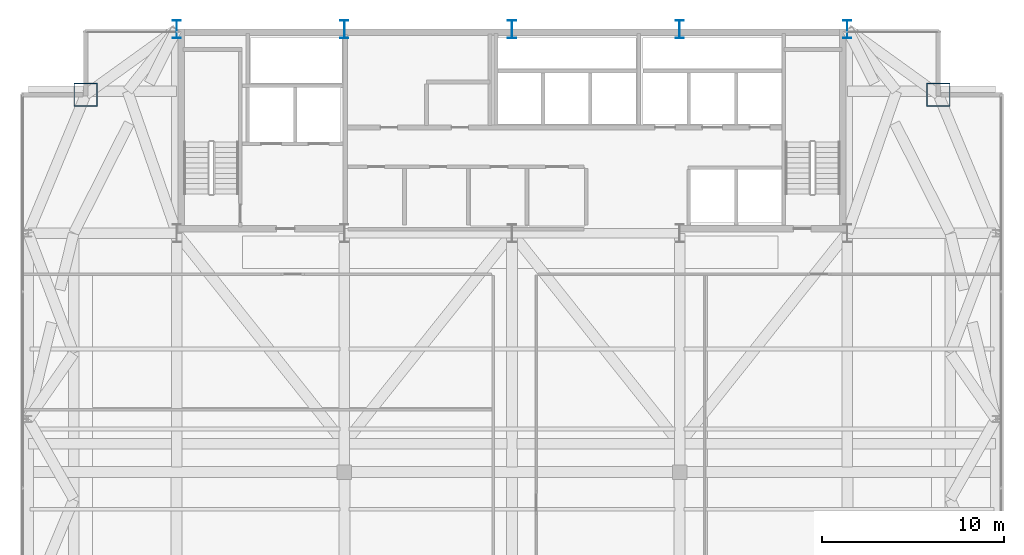
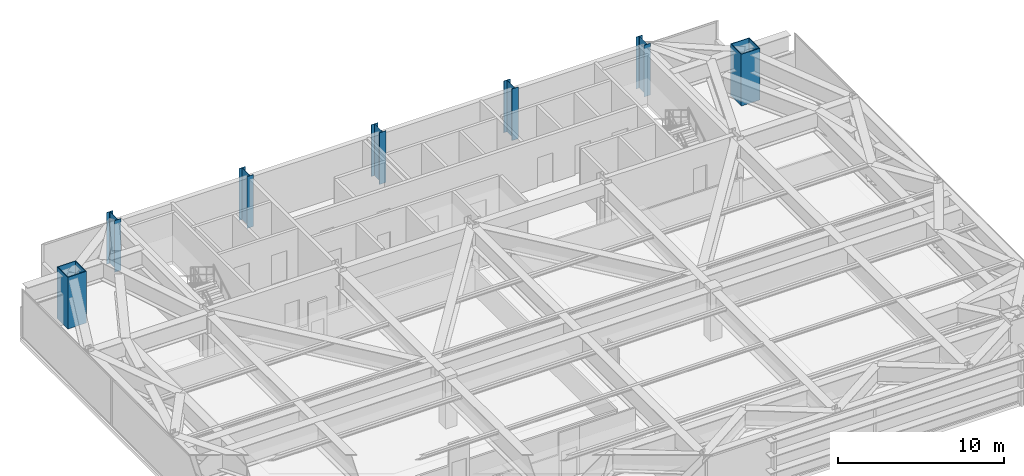
# One storey, part 3 of 26: 7 columns.
"""IFC4 building model written with IfcOpenShell, lengths in metres."""

import ifcopenshell
import ifcopenshell.guid

model = None  # the IFC model being written
_history = None  # IfcOwnerHistory: only IFC2X3 demands one
_inside = {}  # id of a spatial element -> (the spatial element, [elements in it])
_under = {}  # id of a project, library or spatial element -> (it, [spatial elements below it])
_declared = {}  # id of a project -> (the project, [libraries it declares])
_typed = {}  # id of a type object -> (the type object, [elements of that type])
_made_of = {}  # id of a material, layer set ... -> (it, [elements and type objects made of it])


def new_model(schema):
    """Start an empty IFC model of exactly this schema.

    Asked for "IFC4X3", IfcOpenShell would pick the latest addendum, in which some entities
    have other attributes; the version numbers below select the first issue.
    IFC2X3 requires an IfcOwnerHistory on every rooted entity: one is made here for all.
    """
    global model, _history
    if schema == "IFC4X3":
        model = ifcopenshell.file(schema_version=(4, 3, 0, 0))
    else:
        model = ifcopenshell.file(schema=schema)
    _inside.clear()
    _under.clear()
    _declared.clear()
    _typed.clear()
    _made_of.clear()
    _history = None
    if model.schema == "IFC2X3":
        org = make("IfcOrganization", Name="unknown")
        user = make(
            "IfcPersonAndOrganization",
            ThePerson=make("IfcPerson", FamilyName="unknown"),
            TheOrganization=org,
        )
        app = make(
            "IfcApplication",
            ApplicationDeveloper=org,
            Version="unknown",
            ApplicationFullName="unknown",
            ApplicationIdentifier="unknown",
        )
        _history = make(
            "IfcOwnerHistory",
            OwningUser=user,
            OwningApplication=app,
            ChangeAction="ADDED",
            CreationDate=0,
        )
    return model


def make(cls, **values):
    """One entity of the class cls with the attributes given. An attribute that is None is left unset."""
    return model.create_entity(
        cls, **{name: value for name, value in values.items() if value is not None}
    )


def rooted(cls, **values):
    """An entity with a GlobalId (a new one), such as an element, a storey or a relation."""
    return make(cls, GlobalId=ifcopenshell.guid.new(), OwnerHistory=_history, **values)


def si_unit(unit_type, name, prefix=None):
    """IfcSIUnit, for example si_unit("LENGTHUNIT", "METRE", prefix="MILLI")."""
    return make("IfcSIUnit", UnitType=unit_type, Prefix=prefix, Name=name)


def assignment(units):
    """IfcUnitAssignment: the units of a project."""
    return None if units is None else make("IfcUnitAssignment", Units=units)


def point(xyz):
    """IfcCartesianPoint."""
    return None if xyz is None else make("IfcCartesianPoint", Coordinates=xyz)


def direction(xyz):
    """IfcDirection."""
    return None if xyz is None else make("IfcDirection", DirectionRatios=xyz)


def frame(location, z_axis=None, x_axis=None):
    """IfcAxis2Placement3D, a coordinate frame: its origin and axes. An axis left out is left unset."""
    return make(
        "IfcAxis2Placement3D",
        Location=point(location),
        Axis=direction(z_axis),
        RefDirection=direction(x_axis),
    )


def frame_2d(location, x_axis=None):
    """IfcAxis2Placement2D, a coordinate frame in the plane: its origin and x axis."""
    return make(
        "IfcAxis2Placement2D", Location=point(location), RefDirection=direction(x_axis)
    )


def origin():
    """The frame at (0, 0, 0) with its axes left unset."""
    return frame((0.0, 0.0, 0.0))


def origin_2d():
    """The frame at (0, 0) in the plane with its x axis left unset."""
    return frame_2d((0.0, 0.0))


def place(relative_to, where):
    """IfcLocalPlacement: puts the frame where relative to a parent placement (None: the world)."""
    return make(
        "IfcLocalPlacement", PlacementRelTo=relative_to, RelativePlacement=where
    )


def context(
    kind, dimensions, precision=None, world=None, true_north=None, identifier=None
):
    """IfcGeometricRepresentationContext, for example the 3D "Model" context."""
    return make(
        "IfcGeometricRepresentationContext",
        ContextIdentifier=identifier,
        ContextType=kind,
        CoordinateSpaceDimension=dimensions,
        Precision=precision,
        WorldCoordinateSystem=world,
        TrueNorth=true_north,
    )


def subcontext(parent, identifier, kind, view, scale=None):
    """IfcGeometricRepresentationSubContext, for example "Body" below "Model"."""
    return make(
        "IfcGeometricRepresentationSubContext",
        ContextIdentifier=identifier,
        ContextType=kind,
        ParentContext=parent,
        TargetScale=scale,
        TargetView=view,
    )


def project(units=None, contexts=None):
    """IfcProject with its units and contexts."""
    return rooted(
        "IfcProject",
        Name="project",
        RepresentationContexts=contexts,
        UnitsInContext=assignment(units),
    )


def spatial(cls, under=None, at=None, **own):
    """A site, building, storey or space (cls), placed at a placement, below another one or the project."""
    s = rooted(cls, ObjectPlacement=at, **own)
    if under is not None:
        _under.setdefault(under.id(), (under, []))[1].append(s)
    return s


def profile(cls, at=None, kind="AREA", **sizes):
    """A parametric profile (cls). Its sizes go by their IFC names, for example OverallWidth=200.0."""
    return make(cls, ProfileType=kind, Position=at, **sizes)


def hollow_rectangle(**sizes):
    """IfcRectangleHollowProfileDef."""
    return profile("IfcRectangleHollowProfileDef", **sizes)


def i_section(**sizes):
    """IfcIShapeProfileDef."""
    return profile("IfcIShapeProfileDef", **sizes)


def extrude(swept, where, along, depth):
    """IfcExtrudedAreaSolid: the profile swept, set in the frame where, extruded along a direction by depth."""
    return make(
        "IfcExtrudedAreaSolid",
        SweptArea=swept,
        Position=where,
        ExtrudedDirection=direction(along),
        Depth=depth,
    )


def shape(context_of_items, identifier, shape_type, items):
    """IfcShapeRepresentation: the items that make up one representation, for example the "Body"."""
    return make(
        "IfcShapeRepresentation",
        ContextOfItems=context_of_items,
        RepresentationIdentifier=identifier,
        RepresentationType=shape_type,
        Items=items,
    )


def source(mapping_origin, context_of_items, identifier, shape_type, items):
    """IfcRepresentationMap: a shape defined once, which mapped items show again and again."""
    return make(
        "IfcRepresentationMap",
        MappingOrigin=mapping_origin,
        MappedRepresentation=shape(context_of_items, identifier, shape_type, items),
    )


def transform(
    local_origin,
    x_axis=None,
    y_axis=None,
    z_axis=None,
    scale=None,
    scale2=None,
    scale3=None,
    uniform=True,
):
    """IfcCartesianTransformationOperator3D, or its non-uniform kind. x_axis, y_axis, z_axis: its Axis1, 2, 3."""
    if uniform:
        return make(
            "IfcCartesianTransformationOperator3D",
            Axis1=direction(x_axis),
            Axis2=direction(y_axis),
            LocalOrigin=point(local_origin),
            Scale=scale,
            Axis3=direction(z_axis),
        )
    return make(
        "IfcCartesianTransformationOperator3DnonUniform",
        Axis1=direction(x_axis),
        Axis2=direction(y_axis),
        LocalOrigin=point(local_origin),
        Scale=scale,
        Axis3=direction(z_axis),
        Scale2=scale2,
        Scale3=scale3,
    )


def mapped(mapping_source, mapping_target):
    """IfcMappedItem: shows the shape of a source again, moved by a transform."""
    return make(
        "IfcMappedItem", MappingSource=mapping_source, MappingTarget=mapping_target
    )


def material(Name=None, Category=None):
    """IfcMaterial."""
    return make("IfcMaterial", Name=Name, Category=Category)


def material_profile(
    of_material, cross_section, Name=None, Category=None, Priority=None
):
    """IfcMaterialProfile: a cross section and its material."""
    return make(
        "IfcMaterialProfile",
        Name=Name,
        Material=of_material,
        Profile=cross_section,
        Priority=Priority,
        Category=Category,
    )


def profile_set(profiles, Name=None, composite=None):
    """IfcMaterialProfileSet."""
    return make(
        "IfcMaterialProfileSet",
        Name=Name,
        MaterialProfiles=profiles,
        CompositeProfile=composite,
    )


def made_of(thing, what):
    """Note that an element or type object is made of a material, layer set ...; save() writes the relation."""
    if what is not None:
        _made_of.setdefault(what.id(), (what, []))[1].append(thing)
    return thing


def type_object(cls, material=None, **own):
    """A type object (cls), such as IfcWallType, which elements share."""
    return made_of(rooted(cls, **own), material)


def type_shapes(of_type, sources):
    """Give a type object the sources (RepresentationMaps) that its elements show as mapped items."""
    of_type.RepresentationMaps = sources


def element(
    cls,
    number,
    at=None,
    inside=None,
    cuts=None,
    type_object=None,
    material=None,
    context=None,
    identifier="Body",
    shape_type=None,
    held_by="IfcProductDefinitionShape",
    body=None,
    shapes=None,
    **own,
):
    """One element of the class cls, such as IfcWall. Its Tag is "e" and its number.

    at: its placement. inside: the storey or other place that contains it. cuts: it is an
    opening in that element (IfcRelVoidsElement). A single representation is given by context,
    identifier, shape_type and body (its items); several are given by shapes. held_by: the class
    of the entity that holds the representations. save() writes the other relations.
    """
    e = rooted(cls, Tag="e%d" % number, ObjectPlacement=at, **own)
    if body is not None:
        shapes = [shape(context, identifier, shape_type, body)]
    if shapes is not None:
        e.Representation = make(held_by, Representations=shapes)
    if inside is not None:
        _inside.setdefault(inside.id(), (inside, []))[1].append(e)
    if cuts is not None:
        rooted(
            "IfcRelVoidsElement", RelatingBuildingElement=cuts, RelatedOpeningElement=e
        )
    if type_object is not None:
        _typed.setdefault(type_object.id(), (type_object, []))[1].append(e)
    return made_of(e, material)


def aggregate(whole, parts):
    """IfcRelAggregates: a whole, such as a stair, and the parts it consists of."""
    return rooted("IfcRelAggregates", RelatingObject=whole, RelatedObjects=parts)


def save(model, path):
    """Write the relations noted so far, then the file.

    IfcRelAggregates (storeys below a building ...), IfcRelContainedInSpatialStructure (elements
    in a storey), IfcRelDefinesByType, IfcRelAssociatesMaterial and IfcRelDeclares: one each for
    every whole, place, type object, material and project.
    """
    for whole, parts in _under.values():
        aggregate(whole, parts)
    for where, things in _inside.values():
        rooted(
            "IfcRelContainedInSpatialStructure",
            RelatedElements=things,
            RelatingStructure=where,
        )
    for kind, things in _typed.values():
        rooted("IfcRelDefinesByType", RelatedObjects=things, RelatingType=kind)
    for what, things in _made_of.values():
        rooted("IfcRelAssociatesMaterial", RelatedObjects=things, RelatingMaterial=what)
    for by, libraries in _declared.values():
        rooted("IfcRelDeclares", RelatingContext=by, RelatedDefinitions=libraries)
    model.write(path)


model = new_model("IFC4")

# Units and contexts
model_context = context("Model", 3, precision=1e-05, world=origin(), true_north=direction((0.0, 1.0)))
body_context = subcontext(model_context, "Body", "Model", "MODEL_VIEW")
ifc_project = project(units=[si_unit("LENGTHUNIT", "METRE"), si_unit("AREAUNIT", "SQUARE_METRE"), si_unit("VOLUMEUNIT", "CUBIC_METRE"), si_unit("PLANEANGLEUNIT", "RADIAN"), si_unit("MASSUNIT", "GRAM", prefix="KILO")], contexts=[model_context])

# Site, building, storey
site_placement = place(None, origin())
site = spatial("IfcSite", under=ifc_project, at=site_placement, CompositionType="ELEMENT")
building_placement = place(site_placement, origin())
building = spatial("IfcBuilding", under=site, at=building_placement, Name="Varnel Quay Broadcast Tower", CompositionType="ELEMENT")
storey_placement = place(building_placement, frame((0.0, 0.0, 196.0)))
storey = spatial("IfcBuildingStorey", under=building, at=storey_placement, Name="L48", CompositionType="ELEMENT", Elevation=196.0)

# Columns
ifc_material = material(Name="Structural Steel CSA G40.21 350WT", Category="steel")
ifc_material_profile_1 = material_profile(ifc_material, i_section(OverallWidth=0.449951171875, OverallDepth=1.0, WebThickness=0.01611328125, FlangeThickness=0.030029296875, FilletRadius=0.01611328125, at=origin_2d()), Name="WWF1000X362")
ifc_profile_set_1 = profile_set([ifc_material_profile_1], Name="Structural Steel CSA G40.21 350WT")
column_type_1 = type_object("IfcColumnType", Name="Col_WWF1000X362", PredefinedType="COLUMN", material=ifc_profile_set_1)
shared_shape_1 = source(origin(), body_context, "Body", "SweptSolid", [
    extrude(i_section(OverallWidth=0.449951171875, OverallDepth=1.0, WebThickness=0.01611328125, FlangeThickness=0.030029296875, FilletRadius=0.01611328125, at=origin_2d()), origin(), (0.0, 0.0, 1.0), 3.800048828125),
])
type_shapes(column_type_1, [shared_shape_1])
for number, where, z_axis, x_axis, name in (
    (1, (15.60009765625, 46.800048828125, 0.0), (0.0, 0.0, 1.0), (1.0, 0.0, 0.0), "L48 Column CC-N1"),
    (2, (24.800048828125, 46.800048828125, 0.0), (0.0, 0.0, 1.0), (1.0, 0.0, 0.0), "L48 Column CC-N2"),
    (3, (34.0, 46.800048828125, 0.0), (0.0, 0.0, 1.0), (1.0, 0.0, 0.0), "L48 Column CC-N3"),
    (4, (43.199951171875, 46.800048828125, 0.0), (0.0, 0.0, 1.0), (1.0, 0.0, 0.0), "L48 Column CC-N4"),
    (5, (52.39990234375, 46.800048828125, 0.0), (0.0, 0.0, 1.0), (1.0, 0.0, 0.0), "L48 Column CC-N5"),
):
    element("IfcColumn", number, at=place(storey_placement, frame(where, z_axis=z_axis, x_axis=x_axis)), inside=storey, type_object=column_type_1, Name=name, PredefinedType="COLUMN", context=body_context, shape_type="MappedRepresentation", body=[
        mapped(shared_shape_1, transform((0.0, 0.0, 0.0), x_axis=(1.0, 0.0, 0.0), y_axis=(0.0, 1.0, 0.0), z_axis=(0.0, 0.0, 1.0), scale=1.0)),
    ])
ifc_material_profile_2 = material_profile(ifc_material, hollow_rectangle(XDim=1.300048828125, YDim=1.300048828125, WallThickness=0.050048828125, at=origin_2d()), Name="BOX1300X1300X50")
ifc_profile_set_2 = profile_set([ifc_material_profile_2], Name="Structural Steel CSA G40.21 350WT")
column_type_2 = type_object("IfcColumnType", Name="Col_BOX1300X1300X50", PredefinedType="COLUMN", material=ifc_profile_set_2)
shared_shape_2 = source(origin(), body_context, "Body", "SweptSolid", [
    extrude(hollow_rectangle(XDim=1.300048828125, YDim=1.300048828125, WallThickness=0.050048828125, at=origin_2d()), origin(), (0.0, 0.0, 1.0), 3.800048828125),
])
type_shapes(column_type_2, [shared_shape_2])
for number, where, z_axis, x_axis, name in (
    (6, (57.39990234375, 43.199951171875, 0.0), (0.0, 0.0, 1.0), (1.0, 0.0, 0.0), "L48 Column MC-NE"),
    (7, (10.60009765625, 43.199951171875, 0.0), (0.0, 0.0, 1.0), (1.0, 0.0, 0.0), "L48 Column MC-NW"),
):
    element("IfcColumn", number, at=place(storey_placement, frame(where, z_axis=z_axis, x_axis=x_axis)), inside=storey, type_object=column_type_2, Name=name, PredefinedType="COLUMN", context=body_context, shape_type="MappedRepresentation", body=[
        mapped(shared_shape_2, transform((0.0, 0.0, 0.0), x_axis=(1.0, 0.0, 0.0), y_axis=(0.0, 1.0, 0.0), z_axis=(0.0, 0.0, 1.0), scale=1.0)),
    ])

save(model, "model.ifc")
